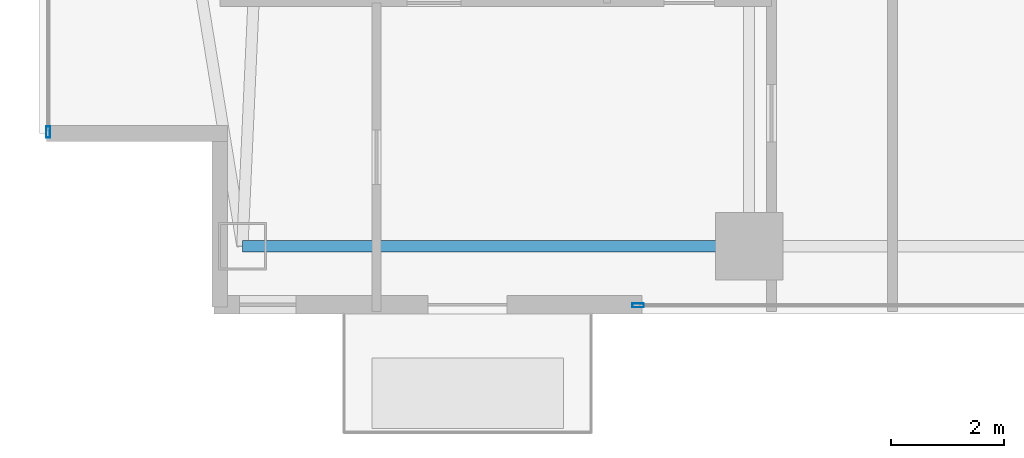
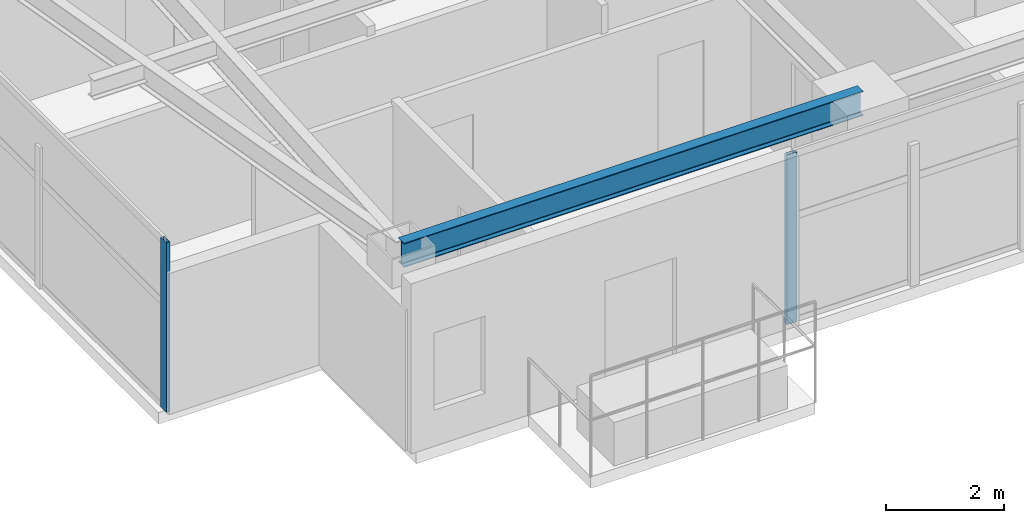
# One storey, part 2 of 28: 2 members, 1 beam, 2 elements without a shape of their own.
"""IFC4 building model written with IfcOpenShell, lengths in metres."""

import ifcopenshell
import ifcopenshell.guid

model = None  # the IFC model being written
_history = None  # IfcOwnerHistory: only IFC2X3 demands one
_inside = {}  # id of a spatial element -> (the spatial element, [elements in it])
_under = {}  # id of a project, library or spatial element -> (it, [spatial elements below it])
_declared = {}  # id of a project -> (the project, [libraries it declares])
_typed = {}  # id of a type object -> (the type object, [elements of that type])
_made_of = {}  # id of a material, layer set ... -> (it, [elements and type objects made of it])


def new_model(schema):
    """Start an empty IFC model of exactly this schema.

    Asked for "IFC4X3", IfcOpenShell would pick the latest addendum, in which some entities
    have other attributes; the version numbers below select the first issue.
    IFC2X3 requires an IfcOwnerHistory on every rooted entity: one is made here for all.
    """
    global model, _history
    if schema == "IFC4X3":
        model = ifcopenshell.file(schema_version=(4, 3, 0, 0))
    else:
        model = ifcopenshell.file(schema=schema)
    _inside.clear()
    _under.clear()
    _declared.clear()
    _typed.clear()
    _made_of.clear()
    _history = None
    if model.schema == "IFC2X3":
        org = make("IfcOrganization", Name="unknown")
        user = make(
            "IfcPersonAndOrganization",
            ThePerson=make("IfcPerson", FamilyName="unknown"),
            TheOrganization=org,
        )
        app = make(
            "IfcApplication",
            ApplicationDeveloper=org,
            Version="unknown",
            ApplicationFullName="unknown",
            ApplicationIdentifier="unknown",
        )
        _history = make(
            "IfcOwnerHistory",
            OwningUser=user,
            OwningApplication=app,
            ChangeAction="ADDED",
            CreationDate=0,
        )
    return model


def make(cls, **values):
    """One entity of the class cls with the attributes given. An attribute that is None is left unset."""
    return model.create_entity(
        cls, **{name: value for name, value in values.items() if value is not None}
    )


def rooted(cls, **values):
    """An entity with a GlobalId (a new one), such as an element, a storey or a relation."""
    return make(cls, GlobalId=ifcopenshell.guid.new(), OwnerHistory=_history, **values)


def si_unit(unit_type, name, prefix=None):
    """IfcSIUnit, for example si_unit("LENGTHUNIT", "METRE", prefix="MILLI")."""
    return make("IfcSIUnit", UnitType=unit_type, Prefix=prefix, Name=name)


def assignment(units):
    """IfcUnitAssignment: the units of a project."""
    return None if units is None else make("IfcUnitAssignment", Units=units)


def point(xyz):
    """IfcCartesianPoint."""
    return None if xyz is None else make("IfcCartesianPoint", Coordinates=xyz)


def direction(xyz):
    """IfcDirection."""
    return None if xyz is None else make("IfcDirection", DirectionRatios=xyz)


def frame(location, z_axis=None, x_axis=None):
    """IfcAxis2Placement3D, a coordinate frame: its origin and axes. An axis left out is left unset."""
    return make(
        "IfcAxis2Placement3D",
        Location=point(location),
        Axis=direction(z_axis),
        RefDirection=direction(x_axis),
    )


def frame_2d(location, x_axis=None):
    """IfcAxis2Placement2D, a coordinate frame in the plane: its origin and x axis."""
    return make(
        "IfcAxis2Placement2D", Location=point(location), RefDirection=direction(x_axis)
    )


def origin():
    """The frame at (0, 0, 0) with its axes left unset."""
    return frame((0.0, 0.0, 0.0))


def origin_2d():
    """The frame at (0, 0) in the plane with its x axis left unset."""
    return frame_2d((0.0, 0.0))


def place(relative_to, where):
    """IfcLocalPlacement: puts the frame where relative to a parent placement (None: the world)."""
    return make(
        "IfcLocalPlacement", PlacementRelTo=relative_to, RelativePlacement=where
    )


def context(
    kind, dimensions, precision=None, world=None, true_north=None, identifier=None
):
    """IfcGeometricRepresentationContext, for example the 3D "Model" context."""
    return make(
        "IfcGeometricRepresentationContext",
        ContextIdentifier=identifier,
        ContextType=kind,
        CoordinateSpaceDimension=dimensions,
        Precision=precision,
        WorldCoordinateSystem=world,
        TrueNorth=true_north,
    )


def subcontext(parent, identifier, kind, view, scale=None):
    """IfcGeometricRepresentationSubContext, for example "Body" below "Model"."""
    return make(
        "IfcGeometricRepresentationSubContext",
        ContextIdentifier=identifier,
        ContextType=kind,
        ParentContext=parent,
        TargetScale=scale,
        TargetView=view,
    )


def project(units=None, contexts=None):
    """IfcProject with its units and contexts."""
    return rooted(
        "IfcProject",
        Name="project",
        RepresentationContexts=contexts,
        UnitsInContext=assignment(units),
    )


def spatial(cls, under=None, at=None, **own):
    """A site, building, storey or space (cls), placed at a placement, below another one or the project."""
    s = rooted(cls, ObjectPlacement=at, **own)
    if under is not None:
        _under.setdefault(under.id(), (under, []))[1].append(s)
    return s


def profile(cls, at=None, kind="AREA", **sizes):
    """A parametric profile (cls). Its sizes go by their IFC names, for example OverallWidth=200.0."""
    return make(cls, ProfileType=kind, Position=at, **sizes)


def hollow_rectangle(**sizes):
    """IfcRectangleHollowProfileDef."""
    return profile("IfcRectangleHollowProfileDef", **sizes)


def i_section(**sizes):
    """IfcIShapeProfileDef."""
    return profile("IfcIShapeProfileDef", **sizes)


def extrude(swept, where, along, depth):
    """IfcExtrudedAreaSolid: the profile swept, set in the frame where, extruded along a direction by depth."""
    return make(
        "IfcExtrudedAreaSolid",
        SweptArea=swept,
        Position=where,
        ExtrudedDirection=direction(along),
        Depth=depth,
    )


def shape(context_of_items, identifier, shape_type, items):
    """IfcShapeRepresentation: the items that make up one representation, for example the "Body"."""
    return make(
        "IfcShapeRepresentation",
        ContextOfItems=context_of_items,
        RepresentationIdentifier=identifier,
        RepresentationType=shape_type,
        Items=items,
    )


def material(Name=None, Category=None):
    """IfcMaterial."""
    return make("IfcMaterial", Name=Name, Category=Category)


def layer(
    of_material, thickness, ventilated=None, Name=None, Category=None, Priority=None
):
    """IfcMaterialLayer: one layer of a wall or slab, of a material (None: an air gap)."""
    return make(
        "IfcMaterialLayer",
        Material=of_material,
        LayerThickness=thickness,
        IsVentilated=ventilated,
        Name=Name,
        Category=Category,
        Priority=Priority,
    )


def layer_set(layers, Name=None):
    """IfcMaterialLayerSet."""
    return make("IfcMaterialLayerSet", MaterialLayers=layers, LayerSetName=Name)


def material_profile(
    of_material, cross_section, Name=None, Category=None, Priority=None
):
    """IfcMaterialProfile: a cross section and its material."""
    return make(
        "IfcMaterialProfile",
        Name=Name,
        Material=of_material,
        Profile=cross_section,
        Priority=Priority,
        Category=Category,
    )


def profile_set(profiles, Name=None, composite=None):
    """IfcMaterialProfileSet."""
    return make(
        "IfcMaterialProfileSet",
        Name=Name,
        MaterialProfiles=profiles,
        CompositeProfile=composite,
    )


def made_of(thing, what):
    """Note that an element or type object is made of a material, layer set ...; save() writes the relation."""
    if what is not None:
        _made_of.setdefault(what.id(), (what, []))[1].append(thing)
    return thing


def type_object(cls, material=None, **own):
    """A type object (cls), such as IfcWallType, which elements share."""
    return made_of(rooted(cls, **own), material)


def element(
    cls,
    number,
    at=None,
    inside=None,
    cuts=None,
    type_object=None,
    material=None,
    context=None,
    identifier="Body",
    shape_type=None,
    held_by="IfcProductDefinitionShape",
    body=None,
    shapes=None,
    **own,
):
    """One element of the class cls, such as IfcWall. Its Tag is "e" and its number.

    at: its placement. inside: the storey or other place that contains it. cuts: it is an
    opening in that element (IfcRelVoidsElement). A single representation is given by context,
    identifier, shape_type and body (its items); several are given by shapes. held_by: the class
    of the entity that holds the representations. save() writes the other relations.
    """
    e = rooted(cls, Tag="e%d" % number, ObjectPlacement=at, **own)
    if body is not None:
        shapes = [shape(context, identifier, shape_type, body)]
    if shapes is not None:
        e.Representation = make(held_by, Representations=shapes)
    if inside is not None:
        _inside.setdefault(inside.id(), (inside, []))[1].append(e)
    if cuts is not None:
        rooted(
            "IfcRelVoidsElement", RelatingBuildingElement=cuts, RelatedOpeningElement=e
        )
    if type_object is not None:
        _typed.setdefault(type_object.id(), (type_object, []))[1].append(e)
    return made_of(e, material)


def aggregate(whole, parts):
    """IfcRelAggregates: a whole, such as a stair, and the parts it consists of."""
    return rooted("IfcRelAggregates", RelatingObject=whole, RelatedObjects=parts)


def save(model, path):
    """Write the relations noted so far, then the file.

    IfcRelAggregates (storeys below a building ...), IfcRelContainedInSpatialStructure (elements
    in a storey), IfcRelDefinesByType, IfcRelAssociatesMaterial and IfcRelDeclares: one each for
    every whole, place, type object, material and project.
    """
    for whole, parts in _under.values():
        aggregate(whole, parts)
    for where, things in _inside.values():
        rooted(
            "IfcRelContainedInSpatialStructure",
            RelatedElements=things,
            RelatingStructure=where,
        )
    for kind, things in _typed.values():
        rooted("IfcRelDefinesByType", RelatedObjects=things, RelatingType=kind)
    for what, things in _made_of.values():
        rooted("IfcRelAssociatesMaterial", RelatedObjects=things, RelatingMaterial=what)
    for by, libraries in _declared.values():
        rooted("IfcRelDeclares", RelatingContext=by, RelatedDefinitions=libraries)
    model.write(path)


model = new_model("IFC4")

# Units and contexts
model_context = context("Model", 3, precision=1e-05, world=origin(), true_north=direction((0.0, 1.0)))
body_context = subcontext(model_context, "Body", "Model", "MODEL_VIEW")
ifc_project = project(units=[si_unit("LENGTHUNIT", "METRE"), si_unit("AREAUNIT", "SQUARE_METRE"), si_unit("VOLUMEUNIT", "CUBIC_METRE"), si_unit("PLANEANGLEUNIT", "RADIAN"), si_unit("MASSUNIT", "GRAM", prefix="KILO")], contexts=[model_context])

# Site, building, storey
site_placement = place(None, origin())
site = spatial("IfcSite", under=ifc_project, at=site_placement, CompositionType="ELEMENT")
building_placement = place(site_placement, origin())
building = spatial("IfcBuilding", under=site, at=building_placement, Name="Calvorn Quay Hotel", CompositionType="ELEMENT")
storey_placement = place(building_placement, frame((0.0, 0.0, 182.699951171875)))
storey = spatial("IfcBuildingStorey", under=building, at=storey_placement, Name="L45", CompositionType="ELEMENT", Elevation=182.699951171875)

# Beam
ifc_material_1 = material(Name="Steel Q355B", Category="steel")
ifc_material_profile_1 = material_profile(ifc_material_1, i_section(OverallWidth=0.199951171875, OverallDepth=0.5, WebThickness=0.010009765625, FlangeThickness=0.01611328125, FilletRadius=0.01611328125, at=origin_2d()), Name="HN500x200x10x16")
ifc_profile_set_1 = profile_set([ifc_material_profile_1], Name="Steel Q355B")
beam_type = type_object("IfcBeamType", Name="BM-SPANDREL-Z1", PredefinedType="SPANDREL", material=ifc_profile_set_1)
beam_placement = place(storey_placement, frame((3.60009765625, 3.60009765625, 3.27001953125), z_axis=(1.0, 0.0, 0.0), x_axis=(0.0, 1.0, 0.0)))
element("IfcBeam", 1, at=beam_placement, inside=storey, type_object=beam_type, Name="Beam BSP-L45-S1", PredefinedType="SPANDREL", context=body_context, shape_type="SweptSolid", body=[
    extrude(i_section(OverallWidth=0.199951171875, OverallDepth=0.5, WebThickness=0.010009765625, FlangeThickness=0.01611328125, FilletRadius=0.01611328125, at=origin_2d()), origin(), (0.0, 0.0, 1.0), 9.0),
])

# Curtain wall, member
ifc_material_2 = material(Name="Pale Anodised Aluminium and Low-E Glass", Category="aluminium")
ifc_layer = layer(ifc_material_2, 0.219970703125)
ifc_layer_set = layer_set([ifc_layer], Name="CW-SYS-Z2")
curtain_wall_type = type_object("IfcCurtainWallType", Name="CW-SYS-Z2", PredefinedType="NOTDEFINED", material=ifc_layer_set)
curtain_wall_1_placement = place(storey_placement, origin())
curtain_wall_1 = element("IfcCurtainWall", 2, at=curtain_wall_1_placement, inside=storey, type_object=curtain_wall_type, Name="Tower West Curtain Wall (L45)", PredefinedType="NOTDEFINED")
ifc_material_3 = material(Name="Pale Anodised Aluminium 6063-T6", Category="aluminium")
ifc_material_profile_2 = material_profile(ifc_material_3, hollow_rectangle(XDim=0.070068359375, YDim=0.199951171875, WallThickness=0.00390625, at=origin_2d()), Name="ALU-M200x70x4")
ifc_profile_set_2 = profile_set([ifc_material_profile_2], Name="Pale Anodised Aluminium 6063-T6")
member_type = type_object("IfcMemberType", Name="CW-SYS-Z2-MUL", PredefinedType="MULLION", material=ifc_profile_set_2)
member_1_placement = place(storey_placement, frame((0.14990234375, 5.6298828125, 0.0), z_axis=(0.0, 0.0, 1.0), x_axis=(-1.0, 0.0, 0.0)))
member_1 = element("IfcMember", 3, at=member_1_placement, type_object=member_type, Name="CW-L45-W mullion 1", PredefinedType="MULLION", context=body_context, shape_type="SweptSolid", body=[
    extrude(hollow_rectangle(XDim=0.070068359375, YDim=0.199951171875, WallThickness=0.00390625, at=origin_2d()), origin(), (0.0, 0.0, 1.0), 3.52001953125),
])
aggregate(curtain_wall_1, [member_1])

curtain_wall_2_placement = place(storey_placement, origin())
curtain_wall_2 = element("IfcCurtainWall", 4, at=curtain_wall_2_placement, inside=storey, type_object=curtain_wall_type, Name="Tower South Waterfront Curtain Wall (L45)", PredefinedType="NOTDEFINED")
member_2_placement = place(storey_placement, frame((10.6298828125, 2.550048828125, 0.0), z_axis=(0.0, 0.0, 1.0), x_axis=(0.0, 1.0, 0.0)))
member_2 = element("IfcMember", 5, at=member_2_placement, type_object=member_type, Name="CW-L45-S mullion 1", PredefinedType="MULLION", context=body_context, shape_type="SweptSolid", body=[
    extrude(hollow_rectangle(XDim=0.070068359375, YDim=0.199951171875, WallThickness=0.00390625, at=origin_2d()), origin(), (0.0, 0.0, 1.0), 3.52001953125),
])
aggregate(curtain_wall_2, [member_2])

save(model, "model.ifc")
